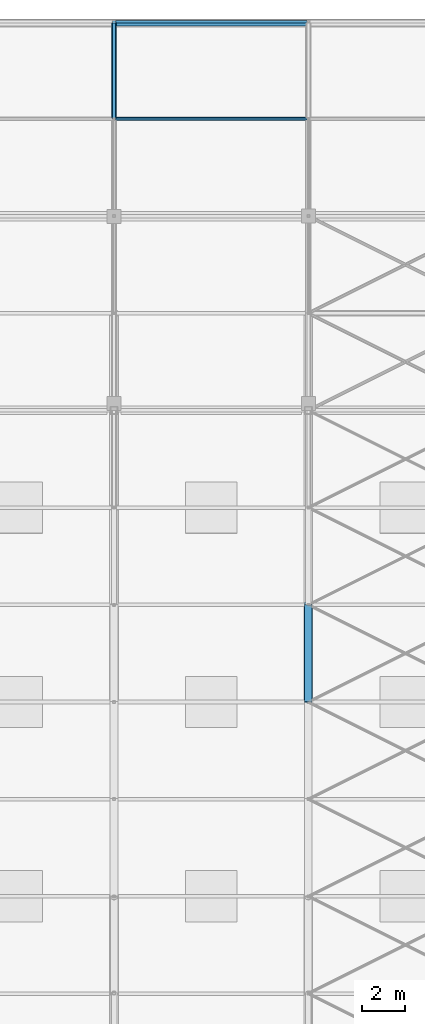
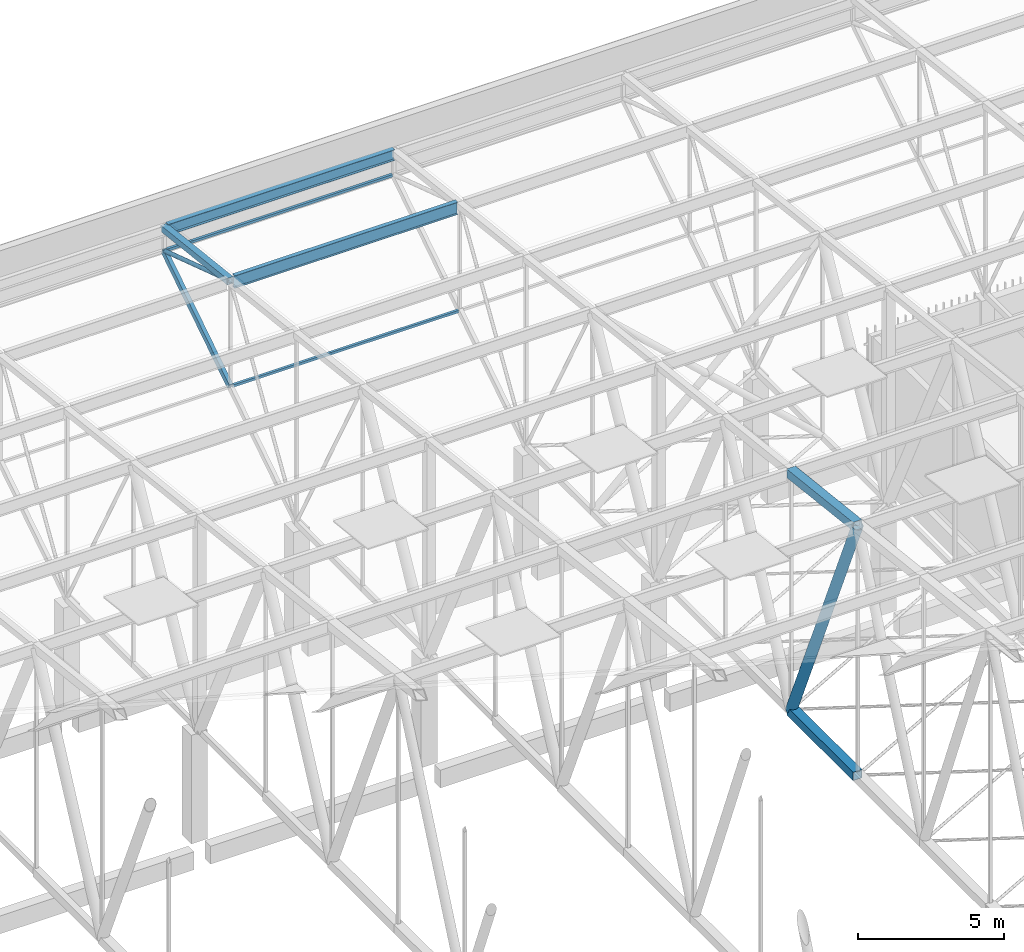
# One storey, part 310 of 500: 10 members.
"""IFC4 building model written with IfcOpenShell, lengths in metres."""

from ifc_helpers import new_model, si_unit, direction, frame, origin, origin_2d, place, context, subcontext, project, spatial, hollow_rectangle, hollow_circle, i_section, extrude, material, material_profile, profile_set, type_object, element, save


model = new_model("IFC4")

# Units and contexts
model_context = context("Model", 3, precision=1e-05, world=origin(), true_north=direction((0.0, 1.0)))
body_context = subcontext(model_context, "Body", "Model", "MODEL_VIEW")
ifc_project = project(units=[si_unit("LENGTHUNIT", "METRE"), si_unit("AREAUNIT", "SQUARE_METRE"), si_unit("VOLUMEUNIT", "CUBIC_METRE"), si_unit("PLANEANGLEUNIT", "RADIAN"), si_unit("MASSUNIT", "GRAM", prefix="KILO")], contexts=[model_context])

# Site, building, storey
site_placement = place(None, origin())
site = spatial("IfcSite", under=ifc_project, at=site_placement, CompositionType="ELEMENT")
building_placement = place(site_placement, origin())
building = spatial("IfcBuilding", under=site, at=building_placement, Name="Shirokan Park Arena", CompositionType="ELEMENT")
storey_placement = place(building_placement, frame((0.0, 0.0, 29.1201171875)))
storey = spatial("IfcBuildingStorey", under=building, at=storey_placement, Name="L06", CompositionType="ELEMENT", Elevation=29.1201171875)

# Members
ifc_material_1 = material(Name="Steel ASTM A500 Grade C", Category="steel")
ifc_material_profile_1 = material_profile(ifc_material_1, hollow_rectangle(XDim=0.152099609375, YDim=0.25390625, WallThickness=0.009521484375, at=origin_2d()), Name="HSS254X152.4X9.5")
ifc_profile_set_1 = profile_set([ifc_material_profile_1], Name="Steel ASTM A500 Grade C")
member_type_1 = type_object("IfcMemberType", Name="Bottom chord HSS254X152.4X9.5", PredefinedType="CHORD", material=ifc_profile_set_1)
member_1_placement = place(storey_placement, frame((81.89990234375, 113.75, 7.6044921875), z_axis=(0.0, 0.840971691661, 0.541079119746), x_axis=(-1.0, 0.0, 0.0)))
element("IfcMember", 1, at=member_1_placement, inside=storey, type_object=member_type_1, Name="Truss T10 bottom chord 28", PredefinedType="CHORD", context=body_context, shape_type="SweptSolid", body=[
    extrude(hollow_rectangle(XDim=0.152099609375, YDim=0.25390625, WallThickness=0.009521484375, at=origin_2d()), origin(), (0.0, 0.0, 1.0), 5.410400390625),
])
ifc_material_profile_2 = material_profile(ifc_material_1, hollow_rectangle(XDim=0.35595703125, YDim=0.35595703125, WallThickness=0.01904296875, at=origin_2d()), Name="HSS355.6X355.6X19.0")
ifc_profile_set_2 = profile_set([ifc_material_profile_2], Name="Steel ASTM A500 Grade C")
member_type_2 = type_object("IfcMemberType", Name="Bottom chord HSS355.6X355.6X19.0", PredefinedType="CHORD", material=ifc_profile_set_2)
member_2_placement = place(storey_placement, frame((91.0, 86.449951171875, 4.677001953125), z_axis=(0.0, 1.0, 0.0), x_axis=(-1.0, 0.0, 0.0)))
element("IfcMember", 2, at=member_2_placement, inside=storey, type_object=member_type_2, Name="Truss T11 bottom chord 22", PredefinedType="CHORD", context=body_context, shape_type="SweptSolid", body=[
    extrude(hollow_rectangle(XDim=0.35595703125, YDim=0.35595703125, WallThickness=0.01904296875, at=origin_2d()), origin(), (0.0, 0.0, 1.0), 4.550048828125),
])
ifc_material_profile_3 = material_profile(ifc_material_1, hollow_rectangle(XDim=0.10205078125, YDim=0.10205078125, WallThickness=0.00634765625, at=origin_2d()), Name="HSS101.6X101.6X6.4")
ifc_profile_set_3 = profile_set([ifc_material_profile_3], Name="Steel ASTM A500 Grade C")
member_type_3 = type_object("IfcMemberType", Name="Eave soffit rail HSS101.6X101.6X6.4", PredefinedType="USERDEFINED", material=ifc_profile_set_3)
for number, where, z_axis, x_axis, name in (
    (3, (81.95703125, 118.300048828125, 10.531982421875), (1.0, 0.0, 0.0), (0.0, 1.0, 0.0), "Eave soffit rail N 29 bay 10"),
    (4, (81.95703125, 113.75, 7.6044921875), (1.0, 0.0, 0.0), (0.0, 1.0, 0.0), "Eave soffit rail N 28 bay 10"),
):
    element("IfcMember", number, at=place(storey_placement, frame(where, z_axis=z_axis, x_axis=x_axis)), inside=storey, type_object=member_type_3, Name=name, ObjectType="EAVE SOFFIT RAIL", PredefinedType="USERDEFINED", context=body_context, shape_type="SweptSolid", body=[
        extrude(hollow_rectangle(XDim=0.10205078125, YDim=0.10205078125, WallThickness=0.00634765625, at=origin_2d()), origin(), (0.0, 0.0, 1.0), 8.986083984375),
    ])
ifc_material_2 = material(Name="Steel ASTM A992", Category="steel")
ifc_material_profile_4 = material_profile(ifc_material_2, i_section(OverallWidth=0.166015625, OverallDepth=0.528076171875, WebThickness=0.009765625, FlangeThickness=0.013671875, at=origin_2d()), Name="W530X74")
ifc_profile_set_4 = profile_set([ifc_material_profile_4], Name="Steel ASTM A992")
member_type_4 = type_object("IfcMemberType", Name="Purlin W530X74", PredefinedType="PURLIN", material=ifc_profile_set_4)
member_3_placement = place(storey_placement, frame((82.027099609375, 113.75, 11.9658203125), z_axis=(1.0, 0.0, 0.0), x_axis=(0.0, 1.0, 0.0)))
element("IfcMember", 5, at=member_3_placement, inside=storey, type_object=member_type_4, Name="Purlin 28 bay 10", PredefinedType="PURLIN", context=body_context, shape_type="SweptSolid", body=[
    extrude(i_section(OverallWidth=0.166015625, OverallDepth=0.528076171875, WebThickness=0.009765625, FlangeThickness=0.013671875, at=origin_2d()), origin(), (0.0, 0.0, 1.0), 8.845947265625),
])
ifc_material_profile_5 = material_profile(ifc_material_2, i_section(OverallWidth=0.19091796875, OverallDepth=0.45703125, WebThickness=0.009033203125, FlangeThickness=0.014404296875, at=origin_2d()), Name="W460X74")
ifc_profile_set_5 = profile_set([ifc_material_profile_5], Name="Steel ASTM A992")
member_type_5 = type_object("IfcMemberType", Name="Roof edge beam W460X74", PredefinedType="USERDEFINED", material=ifc_profile_set_5)
member_4_placement = place(storey_placement, frame((81.95703125, 118.20458984375, 11.4814453125), z_axis=(1.0, 0.0, 0.0), x_axis=(0.0, 1.0, 0.0)))
element("IfcMember", 6, at=member_4_placement, inside=storey, type_object=member_type_5, Name="Roof edge beam N 11", ObjectType="ROOF EDGE BEAM", PredefinedType="USERDEFINED", context=body_context, shape_type="SweptSolid", body=[
    extrude(i_section(OverallWidth=0.19091796875, OverallDepth=0.45703125, WebThickness=0.009033203125, FlangeThickness=0.014404296875, at=origin_2d()), origin(), (0.0, 0.0, 1.0), 8.986083984375),
])
ifc_material_profile_6 = material_profile(ifc_material_1, hollow_rectangle(XDim=0.25390625, YDim=0.25390625, WallThickness=0.009521484375, at=origin_2d()), Name="HSS254X254X9.5")
ifc_profile_set_6 = profile_set([ifc_material_profile_6], Name="Steel ASTM A500 Grade C")
member_type_6 = type_object("IfcMemberType", Name="Top chord HSS254X254X9.5", PredefinedType="CHORD", material=ifc_profile_set_6)
member_5_placement = place(storey_placement, frame((81.89990234375, 113.75, 12.021484375), z_axis=(0.0, 0.993532328996, -0.113549598152), x_axis=(-1.0, 0.0, 0.0)))
element("IfcMember", 7, at=member_5_placement, inside=storey, type_object=member_type_6, Name="Truss T10 top chord 28", PredefinedType="CHORD", context=body_context, shape_type="SweptSolid", body=[
    extrude(hollow_rectangle(XDim=0.25390625, YDim=0.25390625, WallThickness=0.009521484375, at=origin_2d()), origin(), (0.0, 0.0, 1.0), 4.57958984375),
])
ifc_material_profile_7 = material_profile(ifc_material_1, hollow_rectangle(XDim=0.35595703125, YDim=0.35595703125, WallThickness=0.01904296875, at=origin_2d()), Name="HSS355.6X355.6X19.0")
ifc_profile_set_7 = profile_set([ifc_material_profile_7], Name="Steel ASTM A500 Grade C")
member_type_7 = type_object("IfcMemberType", Name="Top chord HSS355.6X355.6X19.0", PredefinedType="CHORD", material=ifc_profile_set_7)
member_6_placement = place(storey_placement, frame((91.0, 86.449951171875, 15.141357421875), z_axis=(0.0, 0.993532328996, -0.113549598152), x_axis=(-1.0, 0.0, 0.0)))
element("IfcMember", 8, at=member_6_placement, inside=storey, type_object=member_type_7, Name="Truss T11 top chord 22", PredefinedType="CHORD", context=body_context, shape_type="SweptSolid", body=[
    extrude(hollow_rectangle(XDim=0.35595703125, YDim=0.35595703125, WallThickness=0.01904296875, at=origin_2d()), origin(), (0.0, 0.0, 1.0), 4.57958984375),
])
ifc_material_profile_8 = material_profile(ifc_material_1, hollow_circle(Radius=0.083984375, WallThickness=0.009521484375, at=origin_2d()), Name="HSS168.3X9.5")
ifc_profile_set_8 = profile_set([ifc_material_profile_8], Name="Steel ASTM A500 Grade C")
member_type_8 = type_object("IfcMemberType", Name="Truss diagonal HSS168.3X9.5", PredefinedType="BRACE", material=ifc_profile_set_8)
member_7_placement = place(storey_placement, frame((81.89990234375, 113.75, 12.021484375), z_axis=(0.0, 0.950372733116, -0.311113593644), x_axis=(-1.0, 0.0, 0.0)))
element("IfcMember", 9, at=member_7_placement, inside=storey, type_object=member_type_8, Name="Truss T10 diagonal 28", PredefinedType="BRACE", context=body_context, shape_type="SweptSolid", body=[
    extrude(hollow_circle(Radius=0.083984375, WallThickness=0.009521484375, at=origin_2d()), origin(), (0.0, 0.0, 1.0), 4.78759765625),
])
ifc_material_profile_9 = material_profile(ifc_material_1, hollow_circle(Radius=0.202880859375, WallThickness=0.015869140625, at=origin_2d()), Name="HSS406.4X15.9")
ifc_profile_set_9 = profile_set([ifc_material_profile_9], Name="Steel ASTM A500 Grade C")
member_type_9 = type_object("IfcMemberType", Name="Truss diagonal HSS406.4X15.9", PredefinedType="BRACE", material=ifc_profile_set_9)
member_8_placement = place(storey_placement, frame((91.0, 86.449951171875, 15.141357421875), z_axis=(0.0, 0.398750364192, -0.917059511186), x_axis=(-1.0, 0.0, 0.0)))
element("IfcMember", 10, at=member_8_placement, inside=storey, type_object=member_type_9, Name="Truss T11 diagonal 22", PredefinedType="BRACE", context=body_context, shape_type="SweptSolid", body=[
    extrude(hollow_circle(Radius=0.202880859375, WallThickness=0.015869140625, at=origin_2d()), origin(), (0.0, 0.0, 1.0), 11.410888671875),
])

save(model, "model.ifc")
